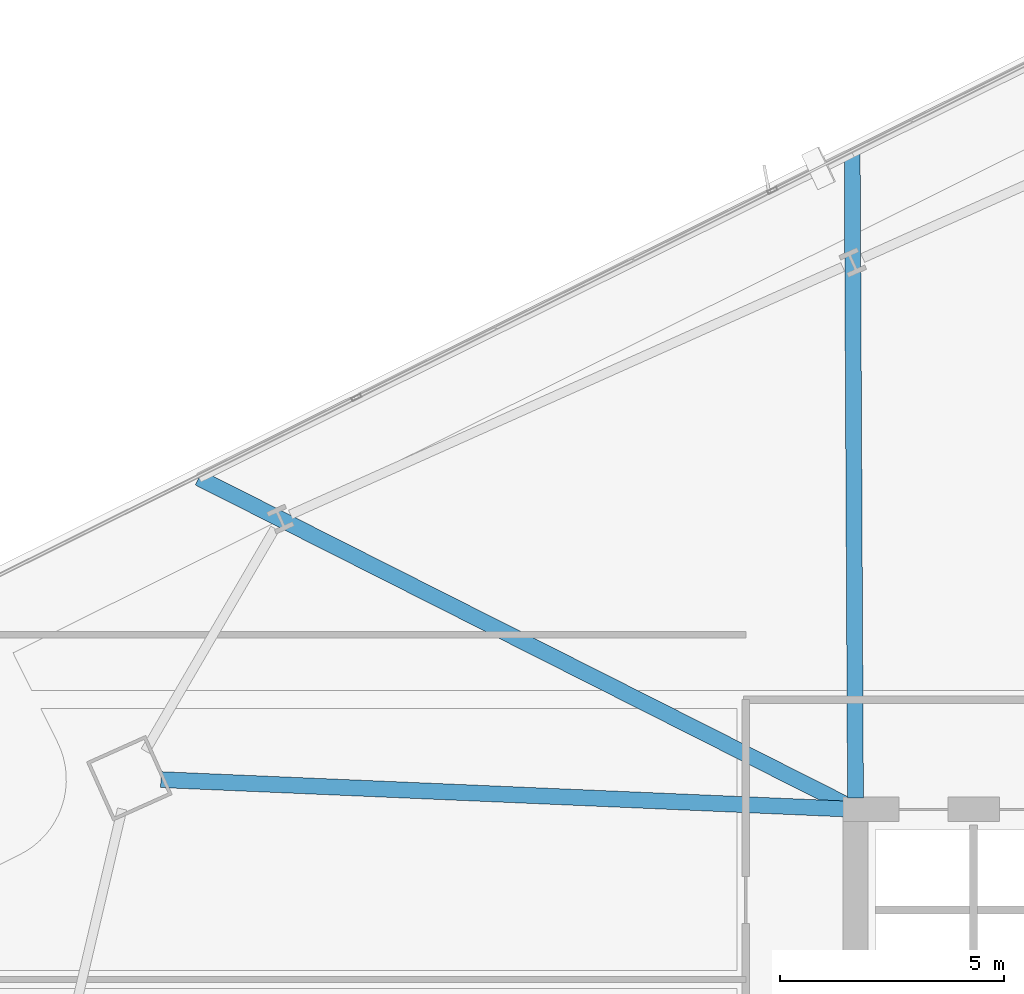
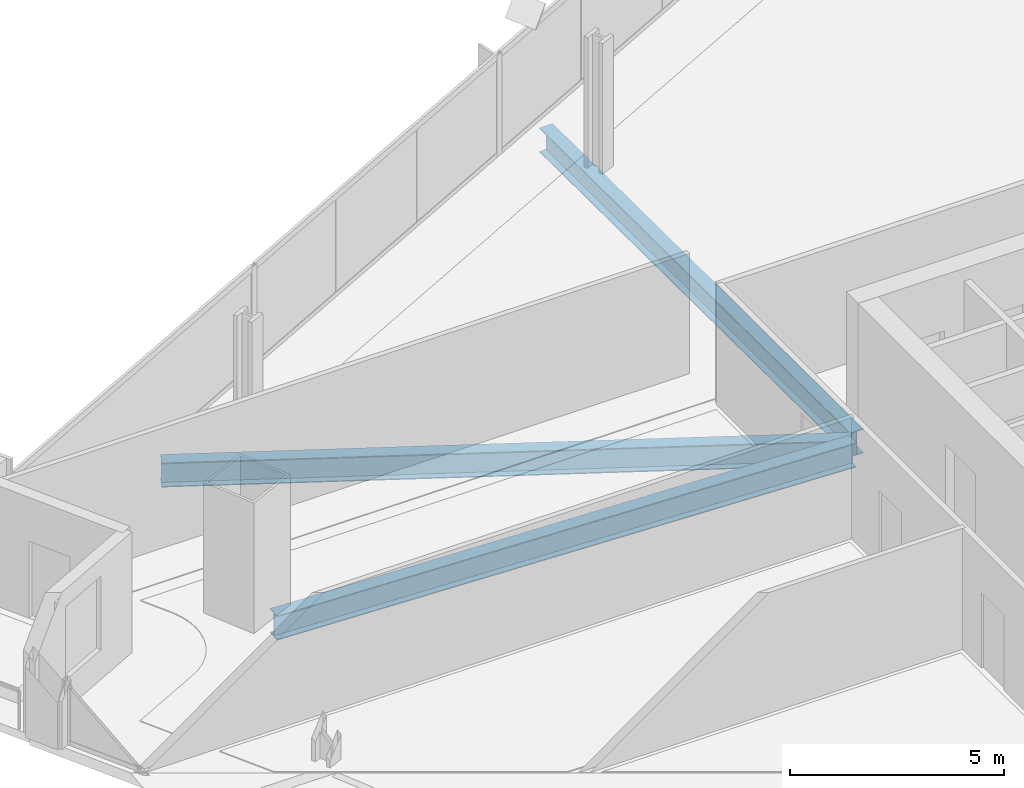
# One storey, part 16 of 35: 3 beams.
"""IFC4 building model written with IfcOpenShell, lengths in metres."""

from ifc_helpers import new_model, si_unit, direction, frame, origin, origin_2d, place, context, subcontext, project, spatial, i_section, extrude, material, material_profile, profile_set, type_object, element, save


model = new_model("IFC4")

# Units and contexts
model_context = context("Model", 3, precision=1e-05, world=origin(), true_north=direction((0.0, 1.0)))
body_context = subcontext(model_context, "Body", "Model", "MODEL_VIEW")
ifc_project = project(units=[si_unit("LENGTHUNIT", "METRE"), si_unit("AREAUNIT", "SQUARE_METRE"), si_unit("VOLUMEUNIT", "CUBIC_METRE"), si_unit("PLANEANGLEUNIT", "RADIAN"), si_unit("MASSUNIT", "GRAM", prefix="KILO")], contexts=[model_context])

# Site, building, storey
site_placement = place(None, origin())
site = spatial("IfcSite", under=ifc_project, at=site_placement, CompositionType="ELEMENT")
building_placement = place(site_placement, origin())
building = spatial("IfcBuilding", under=site, at=building_placement, Name="Haldenkirk Collegiate Tower", CompositionType="ELEMENT")
storey_placement = place(building_placement, frame((0.0, 0.0, 116.699951171875)))
storey = spatial("IfcBuildingStorey", under=building, at=storey_placement, Name="L28", CompositionType="ELEMENT", Elevation=116.699951171875)

# Beams
ifc_material = material(Name="Steel ASTM A992 Grade 50", Category="steel")
ifc_material_profile = material_profile(ifc_material, i_section(OverallWidth=0.35498046875, OverallDepth=0.696044921875, WebThickness=0.015380859375, FlangeThickness=0.02490234375, at=origin_2d()), Name="W27X146")
ifc_profile_set = profile_set([ifc_material_profile], Name="Steel ASTM A992 Grade 50")
beam_type = type_object("IfcBeamType", Name="BM-GIRDER-W27X146", PredefinedType="BEAM", material=ifc_profile_set)
beam_1_placement = place(storey_placement, frame((11.489990234375, 34.6650390625, -0.64794921875), z_axis=(0.999082162822, -0.042834938212, 0.0), x_axis=(0.042834938212, 0.999082162822, 0.0)))
element("IfcBeam", 1, at=beam_1_placement, inside=storey, type_object=beam_type, Name="L28 primary floor girder 04", PredefinedType="BEAM", context=body_context, shape_type="SweptSolid", body=[
    extrude(i_section(OverallWidth=0.35498046875, OverallDepth=0.696044921875, WebThickness=0.015380859375, FlangeThickness=0.02490234375, at=origin_2d()), origin(), (0.0, 0.0, 1.0), 15.26904296875),
])
beam_2_placement = place(storey_placement, frame((26.92529296875, 48.659912109375, -0.64794921875), z_axis=(0.00510136914, -0.999986987932, 0.0), x_axis=(0.999986987932, 0.00510136914, 0.0)))
element("IfcBeam", 2, at=beam_2_placement, inside=storey, type_object=beam_type, Name="L28 primary floor girder 12", PredefinedType="BEAM", context=body_context, shape_type="SweptSolid", body=[
    extrude(i_section(OverallWidth=0.35498046875, OverallDepth=0.696044921875, WebThickness=0.015380859375, FlangeThickness=0.02490234375, at=origin_2d()), origin(), (0.0, 0.0, 1.0), 14.4052734375),
])
beam_3_placement = place(storey_placement, frame((12.336669921875, 41.402099609375, -0.64794921875), z_axis=(0.892708563853, -0.450634463865, 0.0), x_axis=(0.450634463865, 0.892708563853, 0.0)))
element("IfcBeam", 3, at=beam_3_placement, inside=storey, type_object=beam_type, Name="L28 primary floor girder 13", PredefinedType="BEAM", context=body_context, shape_type="SweptSolid", body=[
    extrude(i_section(OverallWidth=0.35498046875, OverallDepth=0.696044921875, WebThickness=0.015380859375, FlangeThickness=0.02490234375, at=origin_2d()), origin(), (0.0, 0.0, 1.0), 16.1708984375),
])

save(model, "model.ifc")
